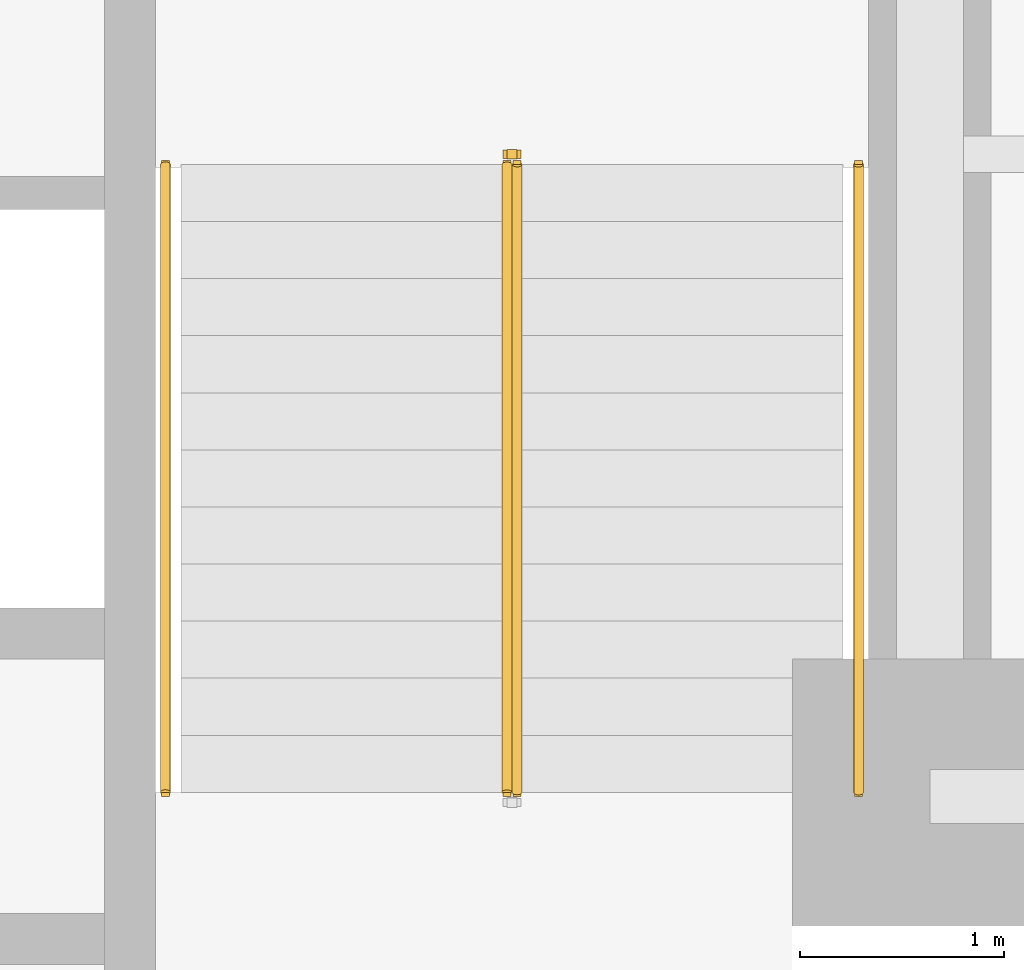
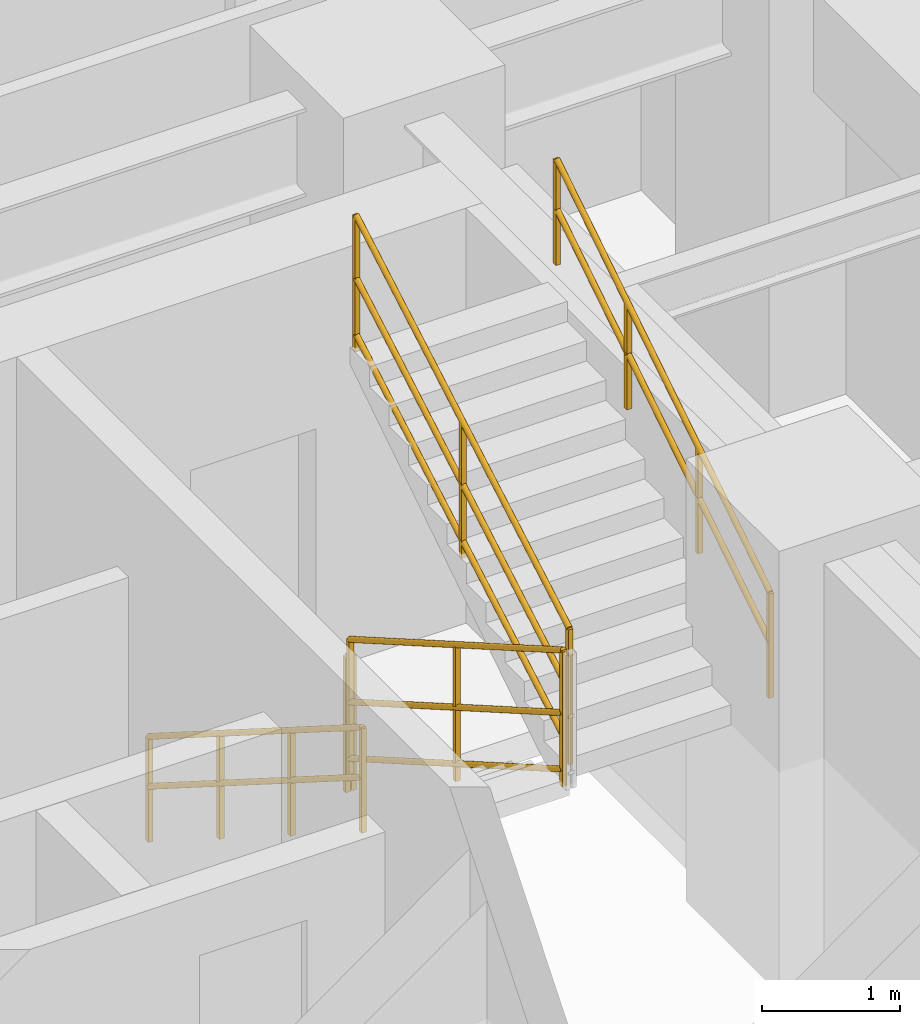
# One storey, part 8 of 9: 5 railings.
"""IFC4 building model written with IfcOpenShell, lengths in metres."""

import ifcopenshell
import ifcopenshell.guid

model = None  # the IFC model being written
_history = None  # IfcOwnerHistory: only IFC2X3 demands one
_inside = {}  # id of a spatial element -> (the spatial element, [elements in it])
_under = {}  # id of a project, library or spatial element -> (it, [spatial elements below it])
_declared = {}  # id of a project -> (the project, [libraries it declares])
_typed = {}  # id of a type object -> (the type object, [elements of that type])
_made_of = {}  # id of a material, layer set ... -> (it, [elements and type objects made of it])


def new_model(schema):
    """Start an empty IFC model of exactly this schema.

    Asked for "IFC4X3", IfcOpenShell would pick the latest addendum, in which some entities
    have other attributes; the version numbers below select the first issue.
    IFC2X3 requires an IfcOwnerHistory on every rooted entity: one is made here for all.
    """
    global model, _history
    if schema == "IFC4X3":
        model = ifcopenshell.file(schema_version=(4, 3, 0, 0))
    else:
        model = ifcopenshell.file(schema=schema)
    _inside.clear()
    _under.clear()
    _declared.clear()
    _typed.clear()
    _made_of.clear()
    _history = None
    if model.schema == "IFC2X3":
        org = make("IfcOrganization", Name="unknown")
        user = make(
            "IfcPersonAndOrganization",
            ThePerson=make("IfcPerson", FamilyName="unknown"),
            TheOrganization=org,
        )
        app = make(
            "IfcApplication",
            ApplicationDeveloper=org,
            Version="unknown",
            ApplicationFullName="unknown",
            ApplicationIdentifier="unknown",
        )
        _history = make(
            "IfcOwnerHistory",
            OwningUser=user,
            OwningApplication=app,
            ChangeAction="ADDED",
            CreationDate=0,
        )
    return model


def make(cls, **values):
    """One entity of the class cls with the attributes given. An attribute that is None is left unset."""
    return model.create_entity(
        cls, **{name: value for name, value in values.items() if value is not None}
    )


def entity(cls, *values):
    """Any entity or typed value of the class cls, its attributes in the order of the schema. None: left unset."""
    e = model.create_entity(cls)
    for i, value in enumerate(values):
        if value is not None:
            e[i] = value
    return e


def rooted(cls, **values):
    """An entity with a GlobalId (a new one), such as an element, a storey or a relation."""
    return make(cls, GlobalId=ifcopenshell.guid.new(), OwnerHistory=_history, **values)


def si_unit(unit_type, name, prefix=None):
    """IfcSIUnit, for example si_unit("LENGTHUNIT", "METRE", prefix="MILLI")."""
    return make("IfcSIUnit", UnitType=unit_type, Prefix=prefix, Name=name)


def converted_unit(unit_type, name, factor, base, dimensions=None, offset=None):
    """IfcConversionBasedUnit, such as the inch: factor (a typed value) times the base unit."""
    return make(
        "IfcConversionBasedUnit"
        if offset is None
        else "IfcConversionBasedUnitWithOffset",
        ConversionOffset=offset,
        Dimensions=None
        if dimensions is None
        else entity("IfcDimensionalExponents", *dimensions),
        UnitType=unit_type,
        Name=name,
        ConversionFactor=make(
            "IfcMeasureWithUnit", ValueComponent=factor, UnitComponent=base
        ),
    )


def assignment(units):
    """IfcUnitAssignment: the units of a project."""
    return None if units is None else make("IfcUnitAssignment", Units=units)


def point(xyz):
    """IfcCartesianPoint."""
    return None if xyz is None else make("IfcCartesianPoint", Coordinates=xyz)


def direction(xyz):
    """IfcDirection."""
    return None if xyz is None else make("IfcDirection", DirectionRatios=xyz)


def frame(location, z_axis=None, x_axis=None):
    """IfcAxis2Placement3D, a coordinate frame: its origin and axes. An axis left out is left unset."""
    return make(
        "IfcAxis2Placement3D",
        Location=point(location),
        Axis=direction(z_axis),
        RefDirection=direction(x_axis),
    )


def frame_2d(location, x_axis=None):
    """IfcAxis2Placement2D, a coordinate frame in the plane: its origin and x axis."""
    return make(
        "IfcAxis2Placement2D", Location=point(location), RefDirection=direction(x_axis)
    )


def origin_with_axes():
    """The frame at (0, 0, 0) with the z axis (0, 0, 1) and the x axis (1, 0, 0) written out."""
    return frame((0.0, 0.0, 0.0), z_axis=(0.0, 0.0, 1.0), x_axis=(1.0, 0.0, 0.0))


def origin_2d_with_axis():
    """The frame at (0, 0) in the plane with the x axis (1, 0) written out."""
    return frame_2d((0.0, 0.0), x_axis=(1.0, 0.0))


def place(relative_to, where):
    """IfcLocalPlacement: puts the frame where relative to a parent placement (None: the world)."""
    return make(
        "IfcLocalPlacement", PlacementRelTo=relative_to, RelativePlacement=where
    )


def context(
    kind, dimensions, precision=None, world=None, true_north=None, identifier=None
):
    """IfcGeometricRepresentationContext, for example the 3D "Model" context."""
    return make(
        "IfcGeometricRepresentationContext",
        ContextIdentifier=identifier,
        ContextType=kind,
        CoordinateSpaceDimension=dimensions,
        Precision=precision,
        WorldCoordinateSystem=world,
        TrueNorth=true_north,
    )


def subcontext(parent, identifier, kind, view, scale=None):
    """IfcGeometricRepresentationSubContext, for example "Body" below "Model"."""
    return make(
        "IfcGeometricRepresentationSubContext",
        ContextIdentifier=identifier,
        ContextType=kind,
        ParentContext=parent,
        TargetScale=scale,
        TargetView=view,
    )


def project(units=None, contexts=None):
    """IfcProject with its units and contexts."""
    return rooted(
        "IfcProject",
        Name="project",
        RepresentationContexts=contexts,
        UnitsInContext=assignment(units),
    )


def spatial(cls, under=None, at=None, **own):
    """A site, building, storey or space (cls), placed at a placement, below another one or the project."""
    s = rooted(cls, ObjectPlacement=at, **own)
    if under is not None:
        _under.setdefault(under.id(), (under, []))[1].append(s)
    return s


def profile(cls, at=None, kind="AREA", **sizes):
    """A parametric profile (cls). Its sizes go by their IFC names, for example OverallWidth=200.0."""
    return make(cls, ProfileType=kind, Position=at, **sizes)


def rectangle(**sizes):
    """IfcRectangleProfileDef."""
    return profile("IfcRectangleProfileDef", **sizes)


def circle(**sizes):
    """IfcCircleProfileDef."""
    return profile("IfcCircleProfileDef", **sizes)


def extrude(swept, where, along, depth):
    """IfcExtrudedAreaSolid: the profile swept, set in the frame where, extruded along a direction by depth."""
    return make(
        "IfcExtrudedAreaSolid",
        SweptArea=swept,
        Position=where,
        ExtrudedDirection=direction(along),
        Depth=depth,
    )


def shape(context_of_items, identifier, shape_type, items):
    """IfcShapeRepresentation: the items that make up one representation, for example the "Body"."""
    return make(
        "IfcShapeRepresentation",
        ContextOfItems=context_of_items,
        RepresentationIdentifier=identifier,
        RepresentationType=shape_type,
        Items=items,
    )


def material(Name=None, Category=None):
    """IfcMaterial."""
    return make("IfcMaterial", Name=Name, Category=Category)


def made_of(thing, what):
    """Note that an element or type object is made of a material, layer set ...; save() writes the relation."""
    if what is not None:
        _made_of.setdefault(what.id(), (what, []))[1].append(thing)
    return thing


def type_object(cls, material=None, **own):
    """A type object (cls), such as IfcWallType, which elements share."""
    return made_of(rooted(cls, **own), material)


def element(
    cls,
    number,
    at=None,
    inside=None,
    cuts=None,
    type_object=None,
    material=None,
    context=None,
    identifier="Body",
    shape_type=None,
    held_by="IfcProductDefinitionShape",
    body=None,
    shapes=None,
    **own,
):
    """One element of the class cls, such as IfcWall. Its Tag is "e" and its number.

    at: its placement. inside: the storey or other place that contains it. cuts: it is an
    opening in that element (IfcRelVoidsElement). A single representation is given by context,
    identifier, shape_type and body (its items); several are given by shapes. held_by: the class
    of the entity that holds the representations. save() writes the other relations.
    """
    e = rooted(cls, Tag="e%d" % number, ObjectPlacement=at, **own)
    if body is not None:
        shapes = [shape(context, identifier, shape_type, body)]
    if shapes is not None:
        e.Representation = make(held_by, Representations=shapes)
    if inside is not None:
        _inside.setdefault(inside.id(), (inside, []))[1].append(e)
    if cuts is not None:
        rooted(
            "IfcRelVoidsElement", RelatingBuildingElement=cuts, RelatedOpeningElement=e
        )
    if type_object is not None:
        _typed.setdefault(type_object.id(), (type_object, []))[1].append(e)
    return made_of(e, material)


def aggregate(whole, parts):
    """IfcRelAggregates: a whole, such as a stair, and the parts it consists of."""
    return rooted("IfcRelAggregates", RelatingObject=whole, RelatedObjects=parts)


def save(model, path):
    """Write the relations noted so far, then the file.

    IfcRelAggregates (storeys below a building ...), IfcRelContainedInSpatialStructure (elements
    in a storey), IfcRelDefinesByType, IfcRelAssociatesMaterial and IfcRelDeclares: one each for
    every whole, place, type object, material and project.
    """
    for whole, parts in _under.values():
        aggregate(whole, parts)
    for where, things in _inside.values():
        rooted(
            "IfcRelContainedInSpatialStructure",
            RelatedElements=things,
            RelatingStructure=where,
        )
    for kind, things in _typed.values():
        rooted("IfcRelDefinesByType", RelatedObjects=things, RelatingType=kind)
    for what, things in _made_of.values():
        rooted("IfcRelAssociatesMaterial", RelatedObjects=things, RelatingMaterial=what)
    for by, libraries in _declared.values():
        rooted("IfcRelDeclares", RelatingContext=by, RelatedDefinitions=libraries)
    model.write(path)


model = new_model("IFC4")

# Units and contexts
model_context = context("Model", 3, precision=1e-05, world=origin_with_axes(), true_north=direction((0.0, 1.0)))
body_context = subcontext(model_context, "Body", "Model", "MODEL_VIEW")
ifc_project = project(units=[si_unit("LENGTHUNIT", "METRE"), si_unit("AREAUNIT", "SQUARE_METRE"), si_unit("VOLUMEUNIT", "CUBIC_METRE"), converted_unit("PLANEANGLEUNIT", "DEGREE", entity("IfcPlaneAngleMeasure", 0.017453292519943295), si_unit("PLANEANGLEUNIT", "RADIAN"), dimensions=[0, 0, 0, 0, 0, 0, 0]), si_unit("MASSUNIT", "GRAM", prefix="KILO"), si_unit("THERMODYNAMICTEMPERATUREUNIT", "KELVIN")], contexts=[model_context])

# Site, building, storey
site_placement = place(None, origin_with_axes())
site = spatial("IfcSite", under=ifc_project, at=site_placement, CompositionType="ELEMENT")
building_placement = place(site_placement, origin_with_axes())
building = spatial("IfcBuilding", under=site, at=building_placement, Name="Varnlund Millrace Tower", CompositionType="ELEMENT")
storey_placement = place(building_placement, frame((0.0, 0.0, 71.7), z_axis=(0.0, 0.0, 1.0), x_axis=(1.0, 0.0, 0.0)))
storey = spatial("IfcBuildingStorey", under=building, at=storey_placement, Name="L17", CompositionType="ELEMENT", Elevation=71.7)

# Railings
ifc_material_1 = material(Name="Painted steel stair well balustrade guard", Category="steel")
railing_type_1 = type_object("IfcRailingType", Name="Type-StairGuard-1150", PredefinedType="GUARDRAIL", material=ifc_material_1)
railing_1_placement = place(storey_placement, frame((0.0, 0.0, -71.7), z_axis=(0.0, 0.0, 1.0), x_axis=(1.0, 0.0, 0.0)))
element("IfcRailing", 1, at=railing_1_placement, inside=storey, type_object=railing_type_1, Name="Type-StairGuard-1150", PredefinedType="GUARDRAIL", context=body_context, shape_type="SweptSolid", body=[
    extrude(circle(Radius=0.024, at=origin_2d_with_axis()), frame((45.975, 21.1, 73.027273), z_axis=(0.0, -0.866696, 0.498836), x_axis=(1.0, 0.0, 0.0)), (0.0, 0.0, 1.0), 3.553725),
    extrude(circle(Radius=0.024, at=origin_2d_with_axis()), frame((45.975, 21.1, 71.977273), z_axis=(0.0, -0.866696, 0.498836), x_axis=(1.0, 0.0, 0.0)), (0.0, 0.0, 1.0), 3.553725),
    extrude(circle(Radius=0.024, at=origin_2d_with_axis()), frame((45.975, 21.1, 72.475273), z_axis=(0.0, -0.866696, 0.498836), x_axis=(1.0, 0.0, 0.0)), (0.0, 0.0, 1.0), 3.553725),
    extrude(rectangle(XDim=0.04, YDim=0.04, at=origin_2d_with_axis()), frame((45.975, 21.1, 71.837273), z_axis=(0.0, 0.0, 1.0), x_axis=(1.0, 0.0, 0.0)), (0.0, 0.0, 1.0), 1.19),
    extrude(rectangle(XDim=0.04, YDim=0.04, at=origin_2d_with_axis()), frame((45.975, 19.56, 72.723636), z_axis=(0.0, 0.0, 1.0), x_axis=(1.0, 0.0, 0.0)), (0.0, 0.0, 1.0), 1.19),
    extrude(rectangle(XDim=0.04, YDim=0.04, at=origin_2d_with_axis()), frame((45.975, 18.02, 73.61), z_axis=(0.0, 0.0, 1.0), x_axis=(1.0, 0.0, 0.0)), (0.0, 0.0, 1.0), 1.19),
])
railing_2_placement = place(storey_placement, frame((0.0, 0.0, -71.7), z_axis=(0.0, 0.0, 1.0), x_axis=(1.0, 0.0, 0.0)))
element("IfcRailing", 2, at=railing_2_placement, inside=storey, type_object=railing_type_1, Name="Type-StairGuard-1150", PredefinedType="GUARDRAIL", context=body_context, shape_type="SweptSolid", body=[
    extrude(circle(Radius=0.024, at=origin_2d_with_axis()), frame((46.025, 18.02, 74.977273), z_axis=(0.0, 0.866696, 0.498836), x_axis=(-1.0, 0.0, 0.0)), (0.0, 0.0, 1.0), 3.553725),
    extrude(circle(Radius=0.024, at=origin_2d_with_axis()), frame((46.025, 18.02, 73.927273), z_axis=(0.0, 0.866696, 0.498836), x_axis=(-1.0, 0.0, 0.0)), (0.0, 0.0, 1.0), 3.553725),
    extrude(circle(Radius=0.024, at=origin_2d_with_axis()), frame((46.025, 18.02, 74.425273), z_axis=(0.0, 0.866696, 0.498836), x_axis=(-1.0, 0.0, 0.0)), (0.0, 0.0, 1.0), 3.553725),
    extrude(rectangle(XDim=0.04, YDim=0.04, at=origin_2d_with_axis()), frame((46.025, 18.02, 73.787273), z_axis=(0.0, 0.0, 1.0), x_axis=(1.0, 0.0, 0.0)), (0.0, 0.0, 1.0), 1.19),
    extrude(rectangle(XDim=0.04, YDim=0.04, at=origin_2d_with_axis()), frame((46.025, 19.56, 74.673636), z_axis=(0.0, 0.0, 1.0), x_axis=(1.0, 0.0, 0.0)), (0.0, 0.0, 1.0), 1.19),
    extrude(rectangle(XDim=0.04, YDim=0.04, at=origin_2d_with_axis()), frame((46.025, 21.1, 75.56), z_axis=(0.0, 0.0, 1.0), x_axis=(1.0, 0.0, 0.0)), (0.0, 0.0, 1.0), 1.19),
])
railing_3_placement = place(storey_placement, frame((0.0, 0.0, -71.7), z_axis=(0.0, 0.0, 1.0), x_axis=(1.0, 0.0, 0.0)))
element("IfcRailing", 3, at=railing_3_placement, inside=storey, type_object=railing_type_1, Name="Type-StairGuard-1150", PredefinedType="GUARDRAIL", context=body_context, shape_type="SweptSolid", body=[
    extrude(circle(Radius=0.024, at=origin_2d_with_axis()), frame((46.025, 21.15, 72.85), z_axis=(-1.0, 0.0, 0.0), x_axis=(0.0, -1.0, 0.0)), (0.0, 0.0, 1.0), 0.05),
    extrude(circle(Radius=0.024, at=origin_2d_with_axis()), frame((46.025, 21.15, 71.8), z_axis=(-1.0, 0.0, 0.0), x_axis=(0.0, -1.0, 0.0)), (0.0, 0.0, 1.0), 0.05),
    extrude(circle(Radius=0.024, at=origin_2d_with_axis()), frame((46.025, 21.15, 72.298), z_axis=(-1.0, 0.0, 0.0), x_axis=(0.0, -1.0, 0.0)), (0.0, 0.0, 1.0), 0.05),
    extrude(rectangle(XDim=0.04, YDim=0.04, at=origin_2d_with_axis()), frame((46.025, 21.15, 71.66), z_axis=(0.0, 0.0, 1.0), x_axis=(1.0, 0.0, 0.0)), (0.0, 0.0, 1.0), 1.19),
    extrude(rectangle(XDim=0.04, YDim=0.04, at=origin_2d_with_axis()), frame((45.975, 21.15, 71.66), z_axis=(0.0, 0.0, 1.0), x_axis=(1.0, 0.0, 0.0)), (0.0, 0.0, 1.0), 1.19),
])
ifc_material_2 = material(Name="Brushed architectural bronze stair handrail", Category="aluminium")
railing_type_2 = type_object("IfcRailingType", Name="Type-StairHandrail-900", PredefinedType="HANDRAIL", material=ifc_material_2)
railing_4_placement = place(storey_placement, frame((0.0, 0.0, -71.7), z_axis=(0.0, 0.0, 1.0), x_axis=(1.0, 0.0, 0.0)))
element("IfcRailing", 4, at=railing_4_placement, inside=storey, type_object=railing_type_2, Name="Type-StairHandrail-900", PredefinedType="HANDRAIL", context=body_context, shape_type="SweptSolid", body=[
    extrude(circle(Radius=0.024, at=origin_2d_with_axis()), frame((44.3, 21.1, 72.756995), z_axis=(0.0, -0.844902, 0.534922), x_axis=(1.0, 0.0, 0.0)), (0.0, 0.0, 1.0), 3.645394),
    extrude(circle(Radius=0.024, at=origin_2d_with_axis()), frame((44.3, 21.1, 72.317134), z_axis=(0.0, -0.844902, 0.534922), x_axis=(1.0, 0.0, 0.0)), (0.0, 0.0, 1.0), 3.645394),
    extrude(rectangle(XDim=0.04, YDim=0.04, at=origin_2d_with_axis()), frame((44.3, 21.1, 71.837273), z_axis=(0.0, 0.0, 1.0), x_axis=(1.0, 0.0, 0.0)), (0.0, 0.0, 1.0), 0.919722),
    extrude(rectangle(XDim=0.04, YDim=0.04, at=origin_2d_with_axis()), frame((44.3, 20.073333, 72.487273), z_axis=(0.0, 0.0, 1.0), x_axis=(1.0, 0.0, 0.0)), (0.0, 0.0, 1.0), 0.919722),
    extrude(rectangle(XDim=0.04, YDim=0.04, at=origin_2d_with_axis()), frame((44.3, 19.046667, 73.137273), z_axis=(0.0, 0.0, 1.0), x_axis=(1.0, 0.0, 0.0)), (0.0, 0.0, 1.0), 0.919722),
    extrude(rectangle(XDim=0.04, YDim=0.04, at=origin_2d_with_axis()), frame((44.3, 18.02, 73.787273), z_axis=(0.0, 0.0, 1.0), x_axis=(1.0, 0.0, 0.0)), (0.0, 0.0, 1.0), 0.919722),
])
railing_5_placement = place(storey_placement, frame((0.0, 0.0, -71.7), z_axis=(0.0, 0.0, 1.0), x_axis=(1.0, 0.0, 0.0)))
element("IfcRailing", 5, at=railing_5_placement, inside=storey, type_object=railing_type_2, Name="Type-StairHandrail-900", PredefinedType="HANDRAIL", context=body_context, shape_type="SweptSolid", body=[
    extrude(circle(Radius=0.024, at=origin_2d_with_axis()), frame((47.7, 18.02, 74.706995), z_axis=(0.0, 0.844902, 0.534922), x_axis=(-1.0, 0.0, 0.0)), (0.0, 0.0, 1.0), 3.645394),
    extrude(circle(Radius=0.024, at=origin_2d_with_axis()), frame((47.7, 18.02, 74.267134), z_axis=(0.0, 0.844902, 0.534922), x_axis=(-1.0, 0.0, 0.0)), (0.0, 0.0, 1.0), 3.645394),
    extrude(rectangle(XDim=0.04, YDim=0.04, at=origin_2d_with_axis()), frame((47.7, 18.02, 73.787273), z_axis=(0.0, 0.0, 1.0), x_axis=(1.0, 0.0, 0.0)), (0.0, 0.0, 1.0), 0.919722),
    extrude(rectangle(XDim=0.04, YDim=0.04, at=origin_2d_with_axis()), frame((47.7, 19.046667, 74.437273), z_axis=(0.0, 0.0, 1.0), x_axis=(1.0, 0.0, 0.0)), (0.0, 0.0, 1.0), 0.919722),
    extrude(rectangle(XDim=0.04, YDim=0.04, at=origin_2d_with_axis()), frame((47.7, 20.073333, 75.087273), z_axis=(0.0, 0.0, 1.0), x_axis=(1.0, 0.0, 0.0)), (0.0, 0.0, 1.0), 0.919722),
    extrude(rectangle(XDim=0.04, YDim=0.04, at=origin_2d_with_axis()), frame((47.7, 21.1, 75.737273), z_axis=(0.0, 0.0, 1.0), x_axis=(1.0, 0.0, 0.0)), (0.0, 0.0, 1.0), 0.919722),
])

save(model, "model.ifc")
